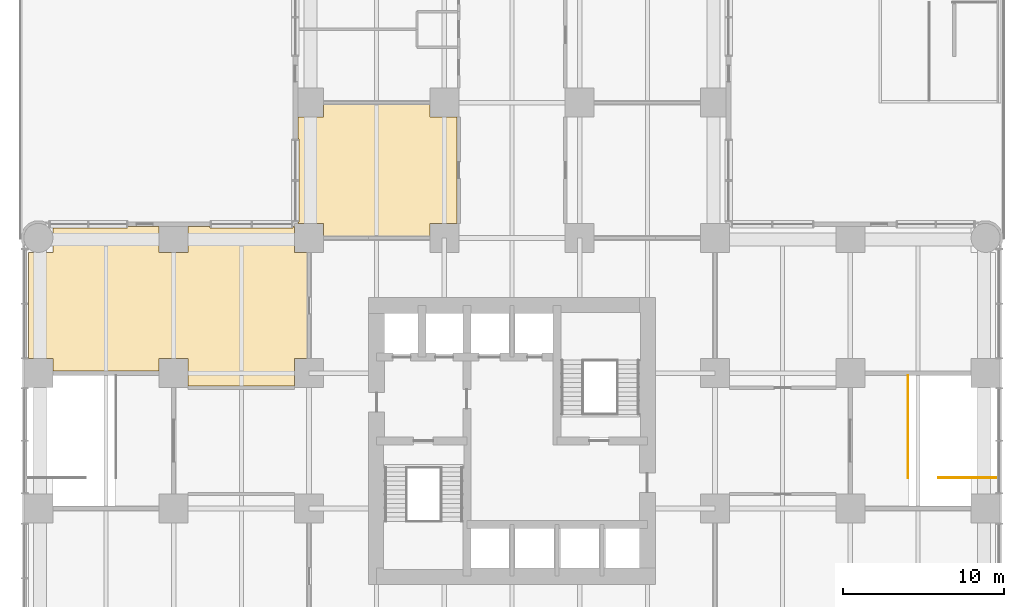
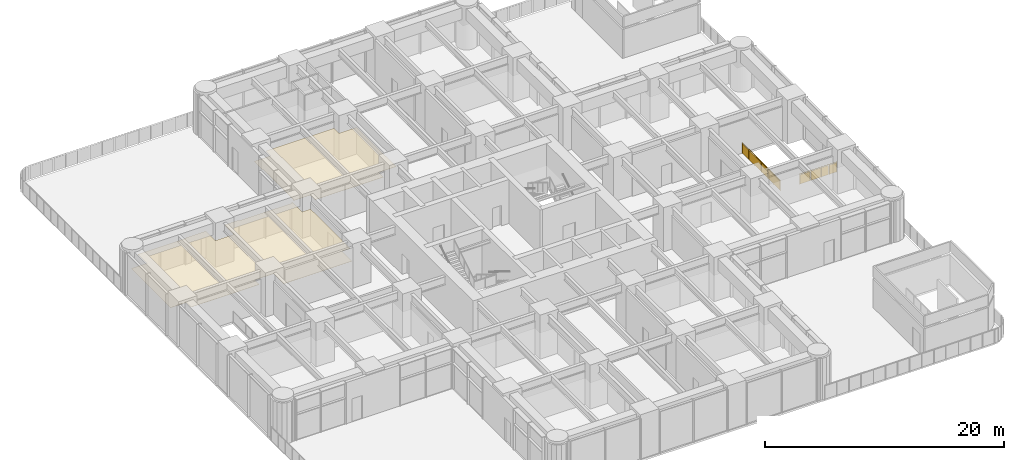
# One storey, part 17 of 21: 3 railings, 2 coverings.
"""IFC4 building model written with IfcOpenShell, lengths in metres."""

from ifc_helpers import new_model, si_unit, direction, frame, origin, origin_2d, place, context, subcontext, project, spatial, polyline, circle, outline, extrude, material, layer, layer_set, type_object, element, save


model = new_model("IFC4")

# Units and contexts
model_context = context("Model", 3, precision=1e-05, world=origin(), true_north=direction((0.0, 1.0)))
body_context = subcontext(model_context, "Body", "Model", "MODEL_VIEW")
ifc_project = project(units=[si_unit("LENGTHUNIT", "METRE"), si_unit("AREAUNIT", "SQUARE_METRE"), si_unit("VOLUMEUNIT", "CUBIC_METRE"), si_unit("PLANEANGLEUNIT", "RADIAN"), si_unit("MASSUNIT", "GRAM", prefix="KILO")], contexts=[model_context])

# Site, building, storey
site_placement = place(None, origin())
site = spatial("IfcSite", under=ifc_project, at=site_placement, CompositionType="ELEMENT")
building_placement = place(site_placement, origin())
building = spatial("IfcBuilding", under=site, at=building_placement, Name="Torre Alcanfor", CompositionType="ELEMENT")
storey_placement = place(building_placement, frame((0.0, 0.0, 24.0)))
storey = spatial("IfcBuildingStorey", under=building, at=storey_placement, Name="L05", CompositionType="ELEMENT", Elevation=24.0)

# Coverings
ifc_material_1 = material(Name="Mineral fibre acoustic tile 20 mm, NRC 0.70, on exposed suspension grid", Category="mineral fibre")
ifc_layer = layer(ifc_material_1, 0.02001953125)
ifc_layer_set = layer_set([ifc_layer], Name="Acoustic suspended ceiling 600x600 mineral fibre tile")
covering_type = type_object("IfcCoveringType", Name="Acoustic suspended ceiling 600x600 mineral fibre tile", PredefinedType="CEILING", material=ifc_layer_set)
covering_1_placement = place(storey_placement, frame((0.0, 0.0, 2.699951171875)))
element("IfcCovering", 1, at=covering_1_placement, inside=storey, type_object=covering_type, Name="Ceiling L05-08", PredefinedType="CEILING", context=body_context, shape_type="SweptSolid", body=[
    extrude(outline(polyline([(7.5, 41.10009765625), (7.5, 42.699951171875), (5.533203125, 42.699951171875), (5.533203125, 42.625), (0.89990234375, 42.625), (0.89990234375, 41.10009765625), (-0.625, 41.10009765625), (-0.625, 34.5), (0.89990234375, 34.5), (0.89990234375, 33.72509765625), (7.5, 33.72509765625), (7.5, 34.5), (9.300048828125, 34.5), (9.300048828125, 32.800048828125), (15.89990234375, 32.800048828125), (15.89990234375, 34.5), (16.699951171875, 34.5), (16.699951171875, 41.10009765625), (15.89990234375, 41.10009765625), (15.89990234375, 42.699951171875), (15.800048828125, 42.699951171875), (15.800048828125, 42.625), (10.666748046875, 42.625), (10.666748046875, 42.699951171875), (9.300048828125, 42.699951171875), (9.300048828125, 41.10009765625), (7.5, 41.10009765625)])), origin(), (0.0, 0.0, 1.0), 0.02001953125),
])
covering_2_placement = place(storey_placement, frame((0.0, 0.0, 2.699951171875)))
element("IfcCovering", 2, at=covering_2_placement, inside=storey, type_object=covering_type, Name="Ceiling L05-10", PredefinedType="CEILING", context=body_context, shape_type="SweptSolid", body=[
    extrude(outline(polyline([(16.175048828125, 43.0), (16.10009765625, 43.0), (16.10009765625, 42.89990234375), (17.699951171875, 42.89990234375), (17.699951171875, 42.10009765625), (24.300048828125, 42.10009765625), (24.300048828125, 42.89990234375), (26.0, 42.89990234375), (26.0, 49.5), (24.300048828125, 49.5), (24.300048828125, 50.324951171875), (17.699951171875, 50.324951171875), (17.699951171875, 49.5), (16.10009765625, 49.5), (16.10009765625, 48.13330078125), (16.175048828125, 48.13330078125), (16.175048828125, 43.0)])), origin(), (0.0, 0.0, 1.0), 0.02001953125),
])

# Railings
ifc_material_2 = material(Name="Steel ASTM A500 Grade C hollow sections", Category="steel")
railing_type = type_object("IfcRailingType", Name="Stair guard and handrail 1100", PredefinedType="GUARDRAIL", material=ifc_material_2)
railing_1_placement = place(storey_placement, frame((53.989990234375, 27.10498046875, 0.0)))
element("IfcRailing", 3, at=railing_1_placement, inside=storey, type_object=railing_type, Name="Stair well guard SS2 L05 door side", PredefinedType="GUARDRAIL", context=body_context, shape_type="SweptSolid", body=[
    extrude(circle(Radius=0.02392578125, at=origin_2d()), frame((0.0, 0.0, 1.076171875), z_axis=(0.0, 1.0, 0.0), x_axis=(-1.0, 0.0, 0.0)), (0.0, 0.0, 1.0), 6.360107421875),
    extrude(circle(Radius=0.02099609375, at=origin_2d()), origin(), (0.0, 0.0, 1.0), 1.052001953125),
    extrude(circle(Radius=0.02099609375, at=origin_2d()), frame((0.0, 1.06005859375, 0.0)), (0.0, 0.0, 1.0), 1.052001953125),
    extrude(circle(Radius=0.02099609375, at=origin_2d()), frame((0.0, 2.1201171875, 0.0)), (0.0, 0.0, 1.0), 1.052001953125),
    extrude(circle(Radius=0.02099609375, at=origin_2d()), frame((0.0, 3.18017578125, 0.0)), (0.0, 0.0, 1.0), 1.052001953125),
    extrude(circle(Radius=0.02099609375, at=origin_2d()), frame((0.0, 4.239990234375, 0.0)), (0.0, 0.0, 1.0), 1.052001953125),
    extrude(circle(Radius=0.02099609375, at=origin_2d()), frame((0.0, 5.300048828125, 0.0)), (0.0, 0.0, 1.0), 1.052001953125),
    extrude(circle(Radius=0.02099609375, at=origin_2d()), frame((0.0, 6.360107421875, 0.0)), (0.0, 0.0, 1.0), 1.052001953125),
    extrude(outline(polyline([(0.041015625, 0.050048828125), (1.01904296875, 0.050048828125), (1.01904296875, 1.001953125), (0.041015625, 1.001953125), (0.041015625, 0.050048828125)])), frame((-0.005859375, 0.0, 0.0), z_axis=(1.0, 0.0, 0.0), x_axis=(0.0, 1.0, 0.0)), (0.0, 0.0, 1.0), 0.011962890625),
    extrude(outline(polyline([(1.10107421875, 0.050048828125), (2.0791015625, 0.050048828125), (2.0791015625, 1.001953125), (1.10107421875, 1.001953125), (1.10107421875, 0.050048828125)])), frame((-0.005859375, 0.0, 0.0), z_axis=(1.0, 0.0, 0.0), x_axis=(0.0, 1.0, 0.0)), (0.0, 0.0, 1.0), 0.011962890625),
    extrude(outline(polyline([(2.1611328125, 0.050048828125), (3.13916015625, 0.050048828125), (3.13916015625, 1.001953125), (2.1611328125, 1.001953125), (2.1611328125, 0.050048828125)])), frame((-0.005859375, 0.0, 0.0), z_axis=(1.0, 0.0, 0.0), x_axis=(0.0, 1.0, 0.0)), (0.0, 0.0, 1.0), 0.011962890625),
    extrude(outline(polyline([(3.220947265625, 0.050048828125), (4.198974609375, 0.050048828125), (4.198974609375, 1.001953125), (3.220947265625, 1.001953125), (3.220947265625, 0.050048828125)])), frame((-0.005859375, 0.0, 0.0), z_axis=(1.0, 0.0, 0.0), x_axis=(0.0, 1.0, 0.0)), (0.0, 0.0, 1.0), 0.011962890625),
    extrude(outline(polyline([(4.281005859375, 0.050048828125), (5.259033203125, 0.050048828125), (5.259033203125, 1.001953125), (4.281005859375, 1.001953125), (4.281005859375, 0.050048828125)])), frame((-0.005859375, 0.0, 0.0), z_axis=(1.0, 0.0, 0.0), x_axis=(0.0, 1.0, 0.0)), (0.0, 0.0, 1.0), 0.011962890625),
    extrude(outline(polyline([(5.341064453125, 0.050048828125), (6.319091796875, 0.050048828125), (6.319091796875, 1.001953125), (5.341064453125, 1.001953125), (5.341064453125, 0.050048828125)])), frame((-0.005859375, 0.0, 0.0), z_axis=(1.0, 0.0, 0.0), x_axis=(0.0, 1.0, 0.0)), (0.0, 0.0, 1.0), 0.011962890625),
])
railing_2_placement = place(storey_placement, frame((59.449951171875, 27.10498046875, 0.0)))
element("IfcRailing", 4, at=railing_2_placement, inside=storey, type_object=railing_type, Name="Stair well guard SS2 L05 facade strip", PredefinedType="GUARDRAIL", context=body_context, shape_type="SweptSolid", body=[
    extrude(circle(Radius=0.02392578125, at=origin_2d()), frame((0.0, 0.0, 1.076171875), z_axis=(-1.0, 0.0, 0.0), x_axis=(0.0, -1.0, 0.0)), (0.0, 0.0, 1.0), 1.5),
    extrude(circle(Radius=0.02099609375, at=origin_2d()), origin(), (0.0, 0.0, 1.0), 1.052001953125),
    extrude(circle(Radius=0.02099609375, at=origin_2d()), frame((-0.75, 0.0, 0.0)), (0.0, 0.0, 1.0), 1.052001953125),
    extrude(circle(Radius=0.02099609375, at=origin_2d()), frame((-1.5, 0.0, 0.0)), (0.0, 0.0, 1.0), 1.052001953125),
    extrude(outline(polyline([(0.041015625, 0.050048828125), (0.708984375, 0.050048828125), (0.708984375, 1.001953125), (0.041015625, 1.001953125), (0.041015625, 0.050048828125)])), frame((0.0, -0.005859375, 0.0), z_axis=(0.0, 1.0, 0.0), x_axis=(-1.0, 0.0, 0.0)), (0.0, 0.0, 1.0), 0.011962890625),
    extrude(outline(polyline([(0.791015625, 0.050048828125), (1.458984375, 0.050048828125), (1.458984375, 1.001953125), (0.791015625, 1.001953125), (0.791015625, 0.050048828125)])), frame((0.0, -0.005859375, 0.0), z_axis=(0.0, 1.0, 0.0), x_axis=(-1.0, 0.0, 0.0)), (0.0, 0.0, 1.0), 0.011962890625),
])
railing_3_placement = place(storey_placement, frame((57.949951171875, 27.10498046875, 0.0)))
element("IfcRailing", 5, at=railing_3_placement, inside=storey, type_object=railing_type, Name="Stair well guard SS2 L05 top landing", PredefinedType="GUARDRAIL", context=body_context, shape_type="SweptSolid", body=[
    extrude(circle(Radius=0.02392578125, at=origin_2d()), frame((0.0, 0.0, 1.076171875), z_axis=(-1.0, 0.0, 0.0), x_axis=(0.0, -1.0, 0.0)), (0.0, 0.0, 1.0), 2.079833984375),
    extrude(circle(Radius=0.02099609375, at=origin_2d()), origin(), (0.0, 0.0, 1.0), 1.052001953125),
    extrude(circle(Radius=0.02099609375, at=origin_2d()), frame((-1.0400390625, 0.0, 0.0)), (0.0, 0.0, 1.0), 1.052001953125),
    extrude(circle(Radius=0.02099609375, at=origin_2d()), frame((-2.079833984375, 0.0, 0.0)), (0.0, 0.0, 1.0), 1.052001953125),
    extrude(outline(polyline([(0.041015625, 0.050048828125), (0.9990234375, 0.050048828125), (0.9990234375, 1.001953125), (0.041015625, 1.001953125), (0.041015625, 0.050048828125)])), frame((0.0, -0.005859375, 0.0), z_axis=(0.0, 1.0, 0.0), x_axis=(-1.0, 0.0, 0.0)), (0.0, 0.0, 1.0), 0.011962890625),
    extrude(outline(polyline([(1.080810546875, 0.050048828125), (2.038818359375, 0.050048828125), (2.038818359375, 1.001953125), (1.080810546875, 1.001953125), (1.080810546875, 0.050048828125)])), frame((0.0, -0.005859375, 0.0), z_axis=(0.0, 1.0, 0.0), x_axis=(-1.0, 0.0, 0.0)), (0.0, 0.0, 1.0), 0.011962890625),
])

save(model, "model.ifc")
